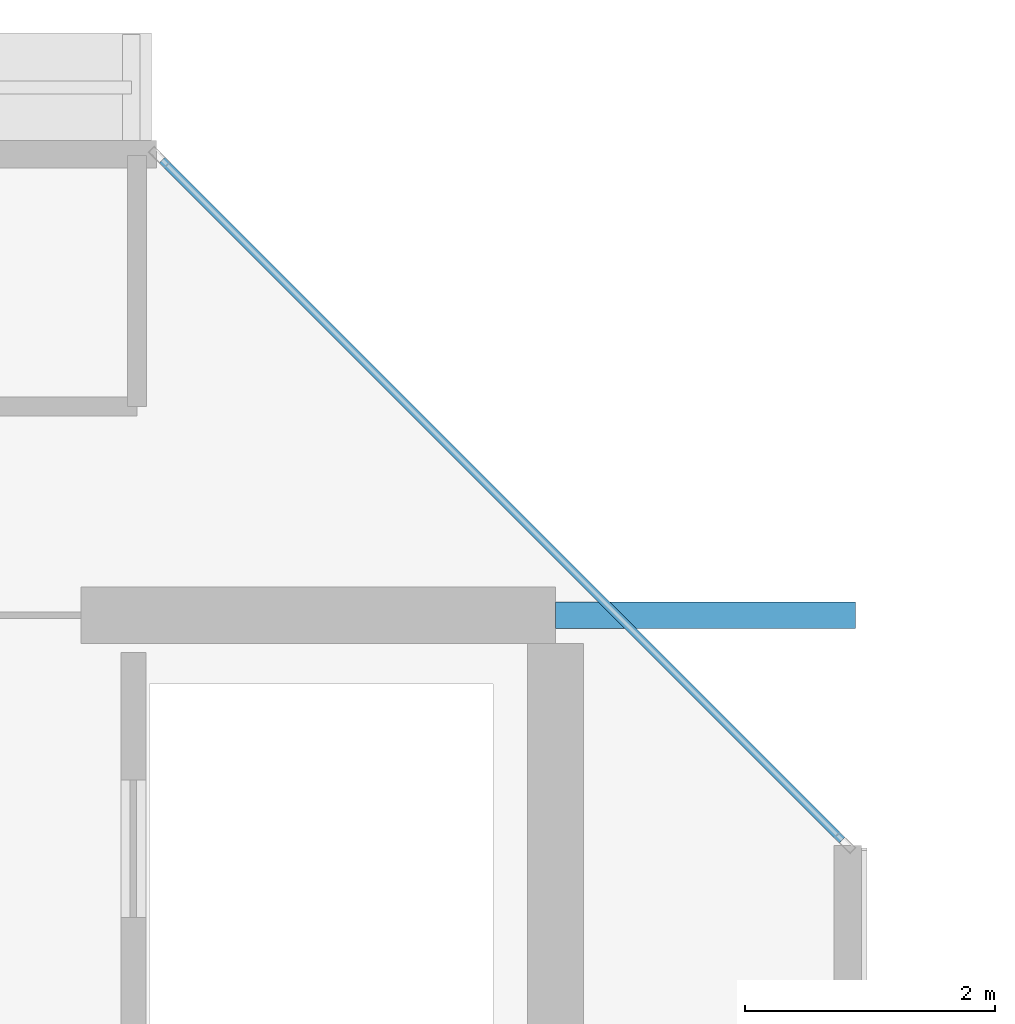
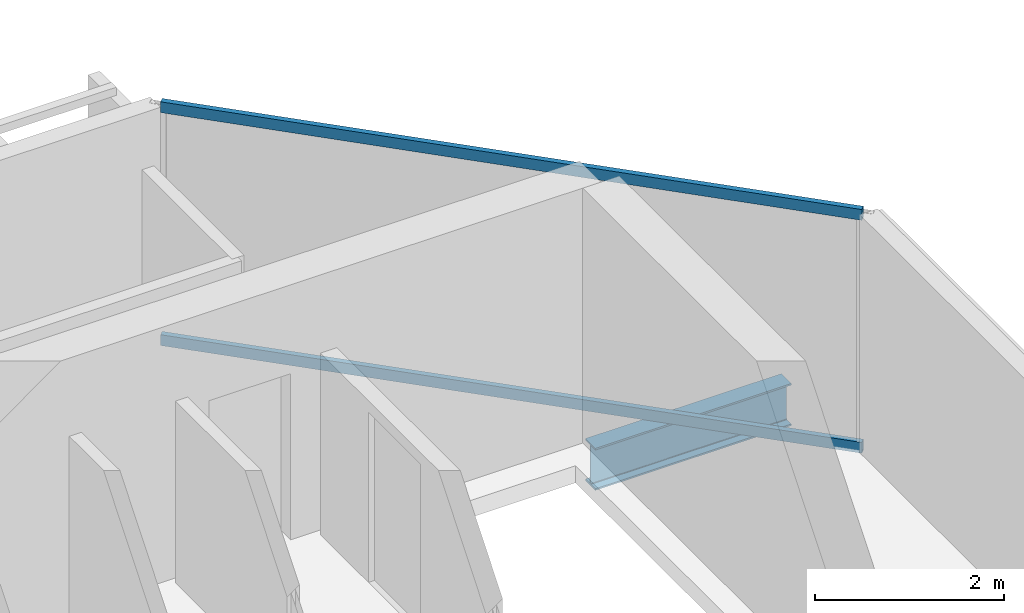
# One storey, part 6 of 28: 2 members, 1 beam, 1 element without a shape of its own.
"""IFC4 building model written with IfcOpenShell, lengths in metres."""

import ifcopenshell
import ifcopenshell.guid

model = None  # the IFC model being written
_history = None  # IfcOwnerHistory: only IFC2X3 demands one
_inside = {}  # id of a spatial element -> (the spatial element, [elements in it])
_under = {}  # id of a project, library or spatial element -> (it, [spatial elements below it])
_declared = {}  # id of a project -> (the project, [libraries it declares])
_typed = {}  # id of a type object -> (the type object, [elements of that type])
_made_of = {}  # id of a material, layer set ... -> (it, [elements and type objects made of it])


def new_model(schema):
    """Start an empty IFC model of exactly this schema.

    Asked for "IFC4X3", IfcOpenShell would pick the latest addendum, in which some entities
    have other attributes; the version numbers below select the first issue.
    IFC2X3 requires an IfcOwnerHistory on every rooted entity: one is made here for all.
    """
    global model, _history
    if schema == "IFC4X3":
        model = ifcopenshell.file(schema_version=(4, 3, 0, 0))
    else:
        model = ifcopenshell.file(schema=schema)
    _inside.clear()
    _under.clear()
    _declared.clear()
    _typed.clear()
    _made_of.clear()
    _history = None
    if model.schema == "IFC2X3":
        org = make("IfcOrganization", Name="unknown")
        user = make(
            "IfcPersonAndOrganization",
            ThePerson=make("IfcPerson", FamilyName="unknown"),
            TheOrganization=org,
        )
        app = make(
            "IfcApplication",
            ApplicationDeveloper=org,
            Version="unknown",
            ApplicationFullName="unknown",
            ApplicationIdentifier="unknown",
        )
        _history = make(
            "IfcOwnerHistory",
            OwningUser=user,
            OwningApplication=app,
            ChangeAction="ADDED",
            CreationDate=0,
        )
    return model


def make(cls, **values):
    """One entity of the class cls with the attributes given. An attribute that is None is left unset."""
    return model.create_entity(
        cls, **{name: value for name, value in values.items() if value is not None}
    )


def rooted(cls, **values):
    """An entity with a GlobalId (a new one), such as an element, a storey or a relation."""
    return make(cls, GlobalId=ifcopenshell.guid.new(), OwnerHistory=_history, **values)


def si_unit(unit_type, name, prefix=None):
    """IfcSIUnit, for example si_unit("LENGTHUNIT", "METRE", prefix="MILLI")."""
    return make("IfcSIUnit", UnitType=unit_type, Prefix=prefix, Name=name)


def assignment(units):
    """IfcUnitAssignment: the units of a project."""
    return None if units is None else make("IfcUnitAssignment", Units=units)


def point(xyz):
    """IfcCartesianPoint."""
    return None if xyz is None else make("IfcCartesianPoint", Coordinates=xyz)


def direction(xyz):
    """IfcDirection."""
    return None if xyz is None else make("IfcDirection", DirectionRatios=xyz)


def frame(location, z_axis=None, x_axis=None):
    """IfcAxis2Placement3D, a coordinate frame: its origin and axes. An axis left out is left unset."""
    return make(
        "IfcAxis2Placement3D",
        Location=point(location),
        Axis=direction(z_axis),
        RefDirection=direction(x_axis),
    )


def frame_2d(location, x_axis=None):
    """IfcAxis2Placement2D, a coordinate frame in the plane: its origin and x axis."""
    return make(
        "IfcAxis2Placement2D", Location=point(location), RefDirection=direction(x_axis)
    )


def origin():
    """The frame at (0, 0, 0) with its axes left unset."""
    return frame((0.0, 0.0, 0.0))


def origin_2d():
    """The frame at (0, 0) in the plane with its x axis left unset."""
    return frame_2d((0.0, 0.0))


def place(relative_to, where):
    """IfcLocalPlacement: puts the frame where relative to a parent placement (None: the world)."""
    return make(
        "IfcLocalPlacement", PlacementRelTo=relative_to, RelativePlacement=where
    )


def context(
    kind, dimensions, precision=None, world=None, true_north=None, identifier=None
):
    """IfcGeometricRepresentationContext, for example the 3D "Model" context."""
    return make(
        "IfcGeometricRepresentationContext",
        ContextIdentifier=identifier,
        ContextType=kind,
        CoordinateSpaceDimension=dimensions,
        Precision=precision,
        WorldCoordinateSystem=world,
        TrueNorth=true_north,
    )


def subcontext(parent, identifier, kind, view, scale=None):
    """IfcGeometricRepresentationSubContext, for example "Body" below "Model"."""
    return make(
        "IfcGeometricRepresentationSubContext",
        ContextIdentifier=identifier,
        ContextType=kind,
        ParentContext=parent,
        TargetScale=scale,
        TargetView=view,
    )


def project(units=None, contexts=None):
    """IfcProject with its units and contexts."""
    return rooted(
        "IfcProject",
        Name="project",
        RepresentationContexts=contexts,
        UnitsInContext=assignment(units),
    )


def spatial(cls, under=None, at=None, **own):
    """A site, building, storey or space (cls), placed at a placement, below another one or the project."""
    s = rooted(cls, ObjectPlacement=at, **own)
    if under is not None:
        _under.setdefault(under.id(), (under, []))[1].append(s)
    return s


def profile(cls, at=None, kind="AREA", **sizes):
    """A parametric profile (cls). Its sizes go by their IFC names, for example OverallWidth=200.0."""
    return make(cls, ProfileType=kind, Position=at, **sizes)


def hollow_rectangle(**sizes):
    """IfcRectangleHollowProfileDef."""
    return profile("IfcRectangleHollowProfileDef", **sizes)


def i_section(**sizes):
    """IfcIShapeProfileDef."""
    return profile("IfcIShapeProfileDef", **sizes)


def extrude(swept, where, along, depth):
    """IfcExtrudedAreaSolid: the profile swept, set in the frame where, extruded along a direction by depth."""
    return make(
        "IfcExtrudedAreaSolid",
        SweptArea=swept,
        Position=where,
        ExtrudedDirection=direction(along),
        Depth=depth,
    )


def shape(context_of_items, identifier, shape_type, items):
    """IfcShapeRepresentation: the items that make up one representation, for example the "Body"."""
    return make(
        "IfcShapeRepresentation",
        ContextOfItems=context_of_items,
        RepresentationIdentifier=identifier,
        RepresentationType=shape_type,
        Items=items,
    )


def material(Name=None, Category=None):
    """IfcMaterial."""
    return make("IfcMaterial", Name=Name, Category=Category)


def layer(
    of_material, thickness, ventilated=None, Name=None, Category=None, Priority=None
):
    """IfcMaterialLayer: one layer of a wall or slab, of a material (None: an air gap)."""
    return make(
        "IfcMaterialLayer",
        Material=of_material,
        LayerThickness=thickness,
        IsVentilated=ventilated,
        Name=Name,
        Category=Category,
        Priority=Priority,
    )


def layer_set(layers, Name=None):
    """IfcMaterialLayerSet."""
    return make("IfcMaterialLayerSet", MaterialLayers=layers, LayerSetName=Name)


def material_profile(
    of_material, cross_section, Name=None, Category=None, Priority=None
):
    """IfcMaterialProfile: a cross section and its material."""
    return make(
        "IfcMaterialProfile",
        Name=Name,
        Material=of_material,
        Profile=cross_section,
        Priority=Priority,
        Category=Category,
    )


def profile_set(profiles, Name=None, composite=None):
    """IfcMaterialProfileSet."""
    return make(
        "IfcMaterialProfileSet",
        Name=Name,
        MaterialProfiles=profiles,
        CompositeProfile=composite,
    )


def made_of(thing, what):
    """Note that an element or type object is made of a material, layer set ...; save() writes the relation."""
    if what is not None:
        _made_of.setdefault(what.id(), (what, []))[1].append(thing)
    return thing


def type_object(cls, material=None, **own):
    """A type object (cls), such as IfcWallType, which elements share."""
    return made_of(rooted(cls, **own), material)


def element(
    cls,
    number,
    at=None,
    inside=None,
    cuts=None,
    type_object=None,
    material=None,
    context=None,
    identifier="Body",
    shape_type=None,
    held_by="IfcProductDefinitionShape",
    body=None,
    shapes=None,
    **own,
):
    """One element of the class cls, such as IfcWall. Its Tag is "e" and its number.

    at: its placement. inside: the storey or other place that contains it. cuts: it is an
    opening in that element (IfcRelVoidsElement). A single representation is given by context,
    identifier, shape_type and body (its items); several are given by shapes. held_by: the class
    of the entity that holds the representations. save() writes the other relations.
    """
    e = rooted(cls, Tag="e%d" % number, ObjectPlacement=at, **own)
    if body is not None:
        shapes = [shape(context, identifier, shape_type, body)]
    if shapes is not None:
        e.Representation = make(held_by, Representations=shapes)
    if inside is not None:
        _inside.setdefault(inside.id(), (inside, []))[1].append(e)
    if cuts is not None:
        rooted(
            "IfcRelVoidsElement", RelatingBuildingElement=cuts, RelatedOpeningElement=e
        )
    if type_object is not None:
        _typed.setdefault(type_object.id(), (type_object, []))[1].append(e)
    return made_of(e, material)


def aggregate(whole, parts):
    """IfcRelAggregates: a whole, such as a stair, and the parts it consists of."""
    return rooted("IfcRelAggregates", RelatingObject=whole, RelatedObjects=parts)


def save(model, path):
    """Write the relations noted so far, then the file.

    IfcRelAggregates (storeys below a building ...), IfcRelContainedInSpatialStructure (elements
    in a storey), IfcRelDefinesByType, IfcRelAssociatesMaterial and IfcRelDeclares: one each for
    every whole, place, type object, material and project.
    """
    for whole, parts in _under.values():
        aggregate(whole, parts)
    for where, things in _inside.values():
        rooted(
            "IfcRelContainedInSpatialStructure",
            RelatedElements=things,
            RelatingStructure=where,
        )
    for kind, things in _typed.values():
        rooted("IfcRelDefinesByType", RelatedObjects=things, RelatingType=kind)
    for what, things in _made_of.values():
        rooted("IfcRelAssociatesMaterial", RelatedObjects=things, RelatingMaterial=what)
    for by, libraries in _declared.values():
        rooted("IfcRelDeclares", RelatingContext=by, RelatedDefinitions=libraries)
    model.write(path)


model = new_model("IFC4")

# Units and contexts
model_context = context("Model", 3, precision=1e-05, world=origin(), true_north=direction((0.0, 1.0)))
body_context = subcontext(model_context, "Body", "Model", "MODEL_VIEW")
ifc_project = project(units=[si_unit("LENGTHUNIT", "METRE"), si_unit("AREAUNIT", "SQUARE_METRE"), si_unit("VOLUMEUNIT", "CUBIC_METRE"), si_unit("PLANEANGLEUNIT", "RADIAN"), si_unit("MASSUNIT", "GRAM", prefix="KILO")], contexts=[model_context])

# Site, building, storey
site_placement = place(None, origin())
site = spatial("IfcSite", under=ifc_project, at=site_placement, CompositionType="ELEMENT")
building_placement = place(site_placement, origin())
building = spatial("IfcBuilding", under=site, at=building_placement, Name="Tanjung Sevakor Pilgrim Tower", CompositionType="ELEMENT")
storey_placement = place(building_placement, frame((0.0, 0.0, 239.25)))
storey = spatial("IfcBuildingStorey", under=building, at=storey_placement, Name="L67", CompositionType="ELEMENT", Elevation=239.25)

# Beam
ifc_material_1 = material(Name="Steel S355J2", Category="steel")
ifc_material_profile_1 = material_profile(ifc_material_1, i_section(OverallWidth=0.2119140625, OverallDepth=0.54443359375, WebThickness=0.0126953125, FlangeThickness=0.021240234375, FilletRadius=0.0126953125, at=origin_2d()))
ifc_profile_set_1 = profile_set([ifc_material_profile_1], Name="Steel S355J2")
beam_type = type_object("IfcBeamType", Name="BM-B-G5-UB_533x210x122", PredefinedType="BEAM", material=ifc_profile_set_1)
beam_placement = place(storey_placement, frame((36.0, 42.60009765625, -0.4921875), z_axis=(1.0, 0.0, 0.0), x_axis=(0.0, 1.0, 0.0)))
element("IfcBeam", 1, at=beam_placement, inside=storey, type_object=beam_type, Name="L67 West Peak Cantilever Girder 2", PredefinedType="BEAM", context=body_context, shape_type="SweptSolid", body=[
    extrude(i_section(OverallWidth=0.2119140625, OverallDepth=0.54443359375, WebThickness=0.0126953125, FlangeThickness=0.021240234375, FilletRadius=0.0126953125, at=origin_2d()), origin(), (0.0, 0.0, 1.0), 2.39990234375),
])

# Curtain wall, members
ifc_material_2 = material(Name="Aluminium 6063-T6 and Low-E Glass", Category="aluminium")
ifc_layer = layer(ifc_material_2, 0.179931640625)
ifc_layer_set = layer_set([ifc_layer], Name="CW-SYS-CHAM")
curtain_wall_type = type_object("IfcCurtainWallType", Name="CW-SYS-CHAM", PredefinedType="NOTDEFINED", material=ifc_layer_set)
curtain_wall_placement = place(storey_placement, origin())
curtain_wall = element("IfcCurtainWall", 2, at=curtain_wall_placement, inside=storey, type_object=curtain_wall_type, Name="L67 Curtain Wall CW-CHM-L67-WEST-3", PredefinedType="NOTDEFINED")
ifc_material_3 = material(Name="Aluminium 6063-T6", Category="aluminium")
ifc_material_profile_2 = material_profile(ifc_material_3, hollow_rectangle(XDim=0.06494140625, YDim=0.139892578125, WallThickness=0.00390625, at=origin_2d()))
ifc_profile_set_2 = profile_set([ifc_material_profile_2], Name="Aluminium 6063-T6")
member_type = type_object("IfcMemberType", Name="TYPE-CWT-1", PredefinedType="USERDEFINED", material=ifc_profile_set_2)
member_1_placement = place(storey_placement, frame((38.2939453125, 40.80029296875, 0.032470703125), z_axis=(-0.707090924819, 0.707122637198, 0.0), x_axis=(-0.707122637198, -0.707090924819, 0.0)))
member_1 = element("IfcMember", 3, at=member_1_placement, type_object=member_type, Name="CW-CHM transom 1.1", ObjectType="TRANSOM", PredefinedType="USERDEFINED", context=body_context, shape_type="SweptSolid", body=[
    extrude(hollow_rectangle(XDim=0.06494140625, YDim=0.139892578125, WallThickness=0.00390625, at=origin_2d()), origin(), (0.0, 0.0, 1.0), 7.698486328125),
])
member_2_placement = place(storey_placement, frame((38.2939453125, 40.80029296875, 3.047607421875), z_axis=(-0.707090924819, 0.707122637198, 0.0), x_axis=(-0.707122637198, -0.707090924819, 0.0)))
member_2 = element("IfcMember", 4, at=member_2_placement, type_object=member_type, Name="CW-CHM transom 1.2", ObjectType="TRANSOM", PredefinedType="USERDEFINED", context=body_context, shape_type="SweptSolid", body=[
    extrude(hollow_rectangle(XDim=0.06494140625, YDim=0.139892578125, WallThickness=0.00390625, at=origin_2d()), origin(), (0.0, 0.0, 1.0), 7.698486328125),
])
aggregate(curtain_wall, [member_1, member_2])

save(model, "model.ifc")
